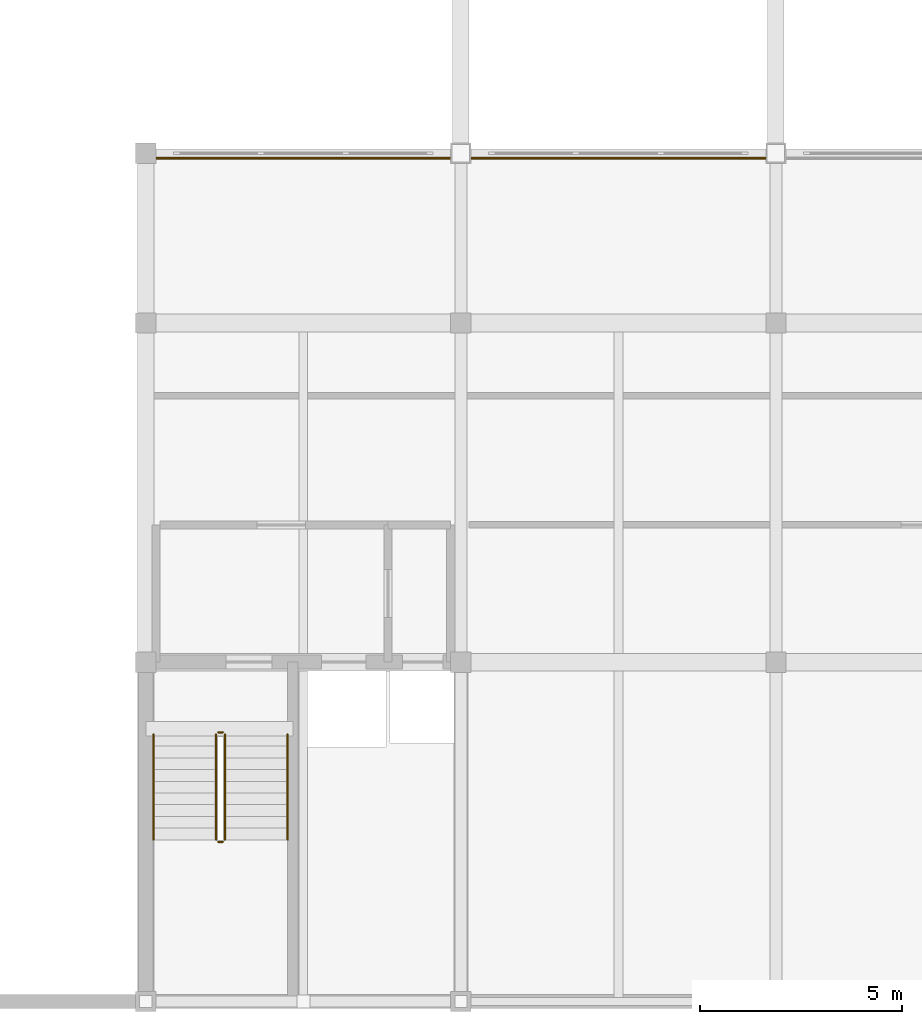
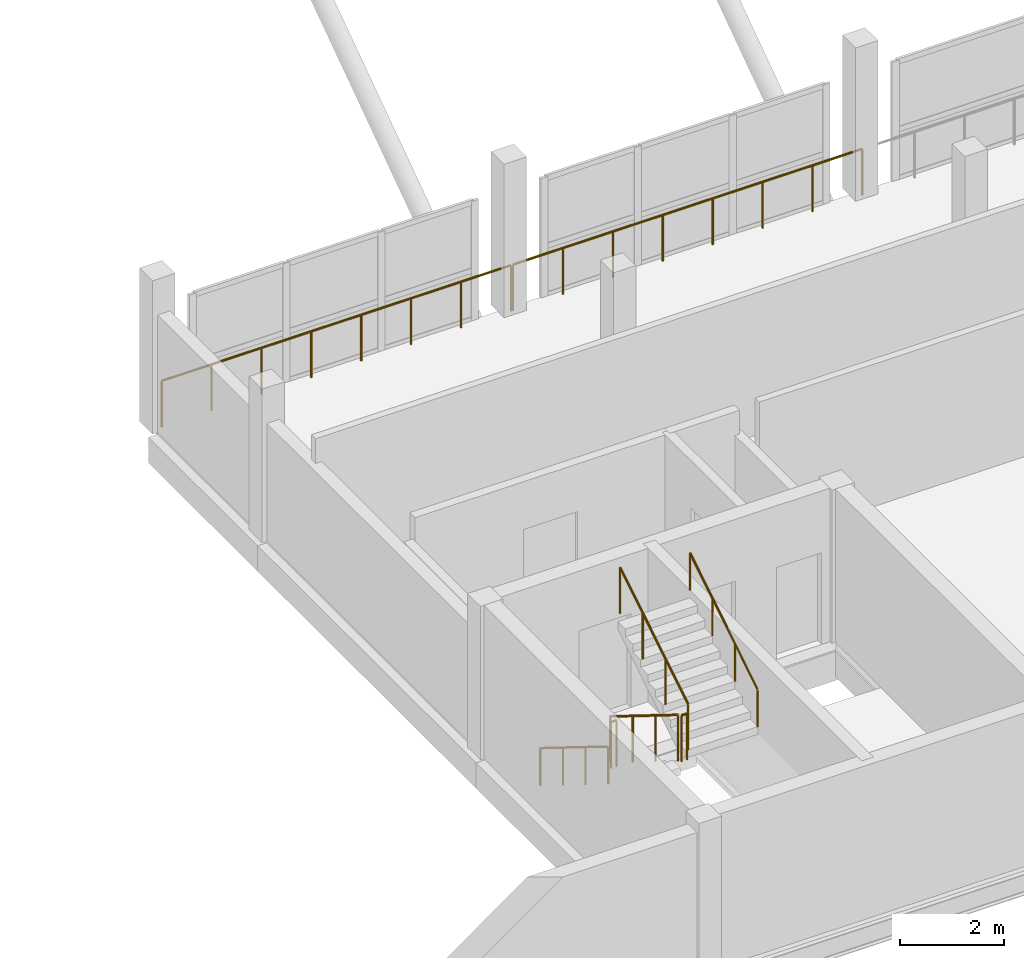
# One storey, part 48 of 51: 8 railings.
"""IFC4 building model written with IfcOpenShell, lengths in metres."""

from ifc_helpers import new_model, si_unit, direction, frame, origin, origin_2d, place, context, subcontext, project, spatial, circle, extrude, material, type_object, element, save


model = new_model("IFC4")

# Units and contexts
model_context = context("Model", 3, precision=1e-05, world=origin(), true_north=direction((0.0, 1.0)))
body_context = subcontext(model_context, "Body", "Model", "MODEL_VIEW")
ifc_project = project(units=[si_unit("LENGTHUNIT", "METRE"), si_unit("AREAUNIT", "SQUARE_METRE"), si_unit("VOLUMEUNIT", "CUBIC_METRE"), si_unit("PLANEANGLEUNIT", "RADIAN"), si_unit("MASSUNIT", "GRAM", prefix="KILO")], contexts=[model_context])

# Site, building, storey
site_placement = place(None, origin())
site = spatial("IfcSite", under=ifc_project, at=site_placement, CompositionType="ELEMENT")
building_placement = place(site_placement, origin())
building = spatial("IfcBuilding", under=site, at=building_placement, Name="Vharandega Faculty of Natural Sciences", CompositionType="ELEMENT")
storey_placement = place(building_placement, frame((0.0, 0.0, 14.39990234375)))
storey = spatial("IfcBuildingStorey", under=building, at=storey_placement, Name="L03", CompositionType="ELEMENT", Elevation=14.39990234375)

# Railings
ifc_material_1 = material(Name="Timber-capped steel and glass balustrade", Category="steel")
railing_type_1 = type_object("IfcRailingType", Name="Atrium Void Balustrade 1100", PredefinedType="BALUSTRADE", material=ifc_material_1)
for number, where, name in (
    (1, (114.824951171875, 84.8798828125, 0.0), "Laboratory Glazing Sill Balustrade L03 #1"),
    (2, (122.625, 84.8798828125, 0.0), "Laboratory Glazing Sill Balustrade L03 #2"),
):
    element("IfcRailing", number, at=place(storey_placement, frame(where)), inside=storey, type_object=railing_type_1, Name=name, PredefinedType="BALUSTRADE", context=body_context, shape_type="SweptSolid", body=[
        extrude(circle(Radius=0.02392578125, at=origin_2d()), frame((0.0, 0.0, 1.076171875), z_axis=(1.0, 0.0, 0.0), x_axis=(0.0, 1.0, 0.0)), (0.0, 0.0, 1.0), 7.75),
        extrude(circle(Radius=0.02099609375, at=origin_2d()), origin(), (0.0, 0.0, 1.0), 1.052001953125),
        extrude(circle(Radius=0.02099609375, at=origin_2d()), frame((1.107177734375, 0.0, 0.0)), (0.0, 0.0, 1.0), 1.052001953125),
        extrude(circle(Radius=0.02099609375, at=origin_2d()), frame((2.21435546875, 0.0, 0.0)), (0.0, 0.0, 1.0), 1.052001953125),
        extrude(circle(Radius=0.02099609375, at=origin_2d()), frame((3.321533203125, 0.0, 0.0)), (0.0, 0.0, 1.0), 1.052001953125),
        extrude(circle(Radius=0.02099609375, at=origin_2d()), frame((4.428466796875, 0.0, 0.0)), (0.0, 0.0, 1.0), 1.052001953125),
        extrude(circle(Radius=0.02099609375, at=origin_2d()), frame((5.53564453125, 0.0, 0.0)), (0.0, 0.0, 1.0), 1.052001953125),
        extrude(circle(Radius=0.02099609375, at=origin_2d()), frame((6.642822265625, 0.0, 0.0)), (0.0, 0.0, 1.0), 1.052001953125),
        extrude(circle(Radius=0.02099609375, at=origin_2d()), frame((7.75, 0.0, 0.0)), (0.0, 0.0, 1.0), 1.052001953125),
    ])
ifc_material_2 = material(Name="Brushed stainless steel handrail", Category="steel")
railing_type_2 = type_object("IfcRailingType", Name="Stair Tubular Handrail 900", PredefinedType="HANDRAIL", material=ifc_material_2)
railing_1_placement = place(storey_placement, frame((114.989990234375, 70.610107421875, 0.18017578125)))
element("IfcRailing", 3, at=railing_1_placement, inside=storey, type_object=railing_type_2, Name="L03 ST1 stair handrail 1", PredefinedType="HANDRAIL", context=body_context, shape_type="SweptSolid", body=[
    extrude(circle(Radius=0.02392578125, at=origin_2d()), frame((0.0, 0.0, 0.8759765625), z_axis=(0.0, -0.849668407637, 0.527317358963), x_axis=(1.0, 0.0, 0.0)), (0.0, 0.0, 1.0), 3.072021484375),
    extrude(circle(Radius=0.02099609375, at=origin_2d()), origin(), (0.0, 0.0, 1.0), 0.851806640625),
    extrude(circle(Radius=0.02099609375, at=origin_2d()), frame((0.0, -0.8701171875, 0.5400390625)), (0.0, 0.0, 1.0), 0.851806640625),
    extrude(circle(Radius=0.02099609375, at=origin_2d()), frame((0.0, -1.739990234375, 1.079833984375)), (0.0, 0.0, 1.0), 0.851806640625),
    extrude(circle(Radius=0.02099609375, at=origin_2d()), frame((0.0, -2.610107421875, 1.619873046875)), (0.0, 0.0, 1.0), 0.851806640625),
])
railing_2_placement = place(storey_placement, frame((118.31005859375, 68.0, 1.97998046875)))
element("IfcRailing", 4, at=railing_2_placement, inside=storey, type_object=railing_type_2, Name="L03 ST1 stair handrail 2", PredefinedType="HANDRAIL", context=body_context, shape_type="SweptSolid", body=[
    extrude(circle(Radius=0.02392578125, at=origin_2d()), frame((0.0, 0.0, 0.8759765625), z_axis=(0.0, 0.849632798774, 0.527374731332), x_axis=(-1.0, 0.0, 0.0)), (0.0, 0.0, 1.0), 3.072021484375),
    extrude(circle(Radius=0.02099609375, at=origin_2d()), origin(), (0.0, 0.0, 1.0), 0.851806640625),
    extrude(circle(Radius=0.02099609375, at=origin_2d()), frame((0.0, 0.8701171875, 0.5400390625)), (0.0, 0.0, 1.0), 0.851806640625),
    extrude(circle(Radius=0.02099609375, at=origin_2d()), frame((0.0, 1.739990234375, 1.080078125)), (0.0, 0.0, 1.0), 0.851806640625),
    extrude(circle(Radius=0.02099609375, at=origin_2d()), frame((0.0, 2.610107421875, 1.6201171875)), (0.0, 0.0, 1.0), 0.851806640625),
])
ifc_material_3 = material(Name="Painted steel stair guardrail", Category="steel")
railing_type_3 = type_object("IfcRailingType", Name="Stairwell Steel Guardrail 1100", PredefinedType="GUARDRAIL", material=ifc_material_3)
railing_3_placement = place(storey_placement, frame((116.5400390625, 70.610107421875, 0.18017578125)))
element("IfcRailing", 5, at=railing_3_placement, inside=storey, type_object=railing_type_3, Name="L03 ST1 stair guard 1", PredefinedType="GUARDRAIL", context=body_context, shape_type="SweptSolid", body=[
    extrude(circle(Radius=0.02392578125, at=origin_2d()), frame((0.0, 0.0, 1.076171875), z_axis=(0.0, -0.849668407637, 0.527317358963), x_axis=(1.0, 0.0, 0.0)), (0.0, 0.0, 1.0), 3.072021484375),
    extrude(circle(Radius=0.02099609375, at=origin_2d()), origin(), (0.0, 0.0, 1.0), 1.052001953125),
    extrude(circle(Radius=0.02099609375, at=origin_2d()), frame((0.0, -0.8701171875, 0.5400390625)), (0.0, 0.0, 1.0), 1.052001953125),
    extrude(circle(Radius=0.02099609375, at=origin_2d()), frame((0.0, -1.739990234375, 1.079833984375)), (0.0, 0.0, 1.0), 1.052001953125),
    extrude(circle(Radius=0.02099609375, at=origin_2d()), frame((0.0, -2.610107421875, 1.619873046875)), (0.0, 0.0, 1.0), 1.052001953125),
])
railing_4_placement = place(storey_placement, frame((116.590087890625, 67.949951171875, 1.800048828125)))
element("IfcRailing", 6, at=railing_4_placement, inside=storey, type_object=railing_type_3, Name="L03 ST1 stair guard 2", PredefinedType="GUARDRAIL", context=body_context, shape_type="SweptSolid", body=[
    extrude(circle(Radius=0.02392578125, at=origin_2d()), frame((0.0, 0.0, 1.076171875), z_axis=(1.0, 0.0, 0.0), x_axis=(0.0, 1.0, 0.0)), (0.0, 0.0, 1.0), 0.119873046875),
    extrude(circle(Radius=0.02099609375, at=origin_2d()), origin(), (0.0, 0.0, 1.0), 1.052001953125),
    extrude(circle(Radius=0.02099609375, at=origin_2d()), frame((0.119873046875, 0.0, 0.0)), (0.0, 0.0, 1.0), 1.052001953125),
])
railing_5_placement = place(storey_placement, frame((116.760009765625, 68.0, 1.97998046875)))
element("IfcRailing", 7, at=railing_5_placement, inside=storey, type_object=railing_type_3, Name="L03 ST1 stair guard 3", PredefinedType="GUARDRAIL", context=body_context, shape_type="SweptSolid", body=[
    extrude(circle(Radius=0.02392578125, at=origin_2d()), frame((0.0, 0.0, 1.076171875), z_axis=(0.0, 0.849632798774, 0.527374731332), x_axis=(-1.0, 0.0, 0.0)), (0.0, 0.0, 1.0), 3.072021484375),
    extrude(circle(Radius=0.02099609375, at=origin_2d()), origin(), (0.0, 0.0, 1.0), 1.052001953125),
    extrude(circle(Radius=0.02099609375, at=origin_2d()), frame((0.0, 0.8701171875, 0.5400390625)), (0.0, 0.0, 1.0), 1.052001953125),
    extrude(circle(Radius=0.02099609375, at=origin_2d()), frame((0.0, 1.739990234375, 1.080078125)), (0.0, 0.0, 1.0), 1.052001953125),
    extrude(circle(Radius=0.02099609375, at=origin_2d()), frame((0.0, 2.610107421875, 1.6201171875)), (0.0, 0.0, 1.0), 1.052001953125),
])
railing_6_placement = place(storey_placement, frame((116.590087890625, 70.659912109375, 0.0)))
element("IfcRailing", 8, at=railing_6_placement, inside=storey, type_object=railing_type_3, Name="L03 ST1 stair guard 4", PredefinedType="GUARDRAIL", context=body_context, shape_type="SweptSolid", body=[
    extrude(circle(Radius=0.02392578125, at=origin_2d()), frame((0.0, 0.0, 1.076171875), z_axis=(1.0, 0.0, 0.0), x_axis=(0.0, 1.0, 0.0)), (0.0, 0.0, 1.0), 0.119873046875),
    extrude(circle(Radius=0.02099609375, at=origin_2d()), origin(), (0.0, 0.0, 1.0), 1.052001953125),
    extrude(circle(Radius=0.02099609375, at=origin_2d()), frame((0.119873046875, 0.0, 0.0)), (0.0, 0.0, 1.0), 1.052001953125),
])

save(model, "model.ifc")
